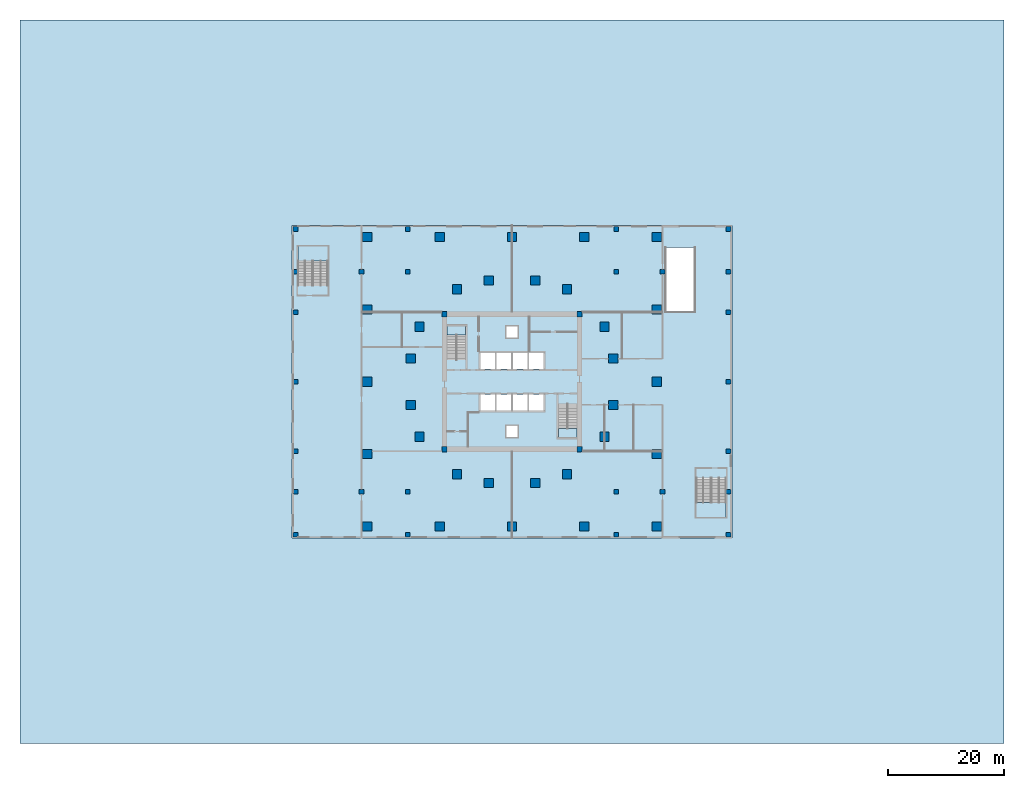
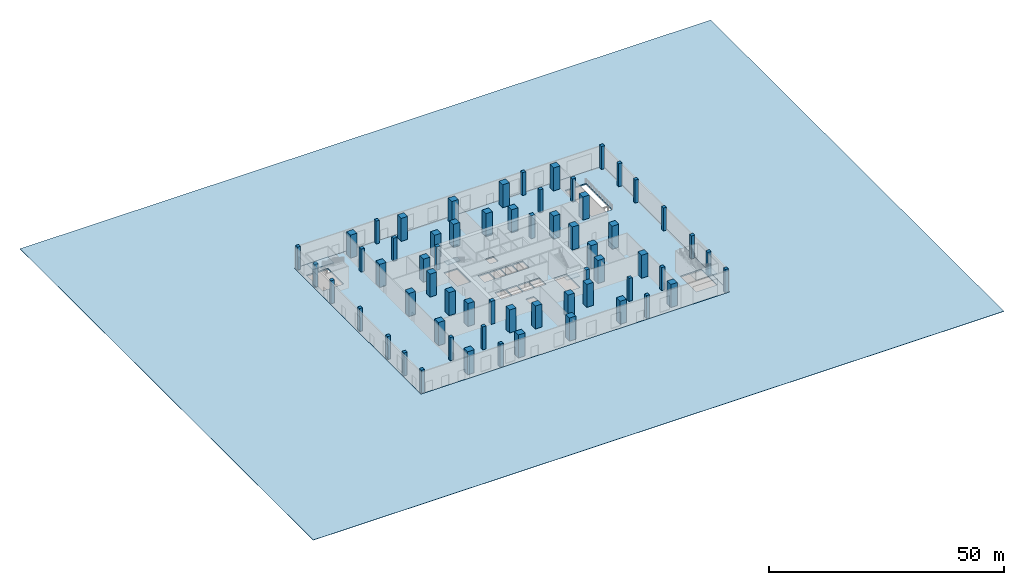
# One storey, part 1 of 8: 62 columns, 6 slabs, 4 elements without a shape of their own.
"""IFC4 building model written with IfcOpenShell, lengths in metres."""

from ifc_helpers import new_model, si_unit, direction, frame, origin, origin_2d, place, context, subcontext, project, spatial, polyline, rectangle, outline, extrude, material, layer, layer_set, material_profile, profile_set, type_object, element, aggregate, save


model = new_model("IFC4")

# Units and contexts
model_context = context("Model", 3, precision=1e-05, world=origin(), true_north=direction((0.0, 1.0)))
body_context = subcontext(model_context, "Body", "Model", "MODEL_VIEW")
ifc_project = project(units=[si_unit("LENGTHUNIT", "METRE"), si_unit("AREAUNIT", "SQUARE_METRE"), si_unit("VOLUMEUNIT", "CUBIC_METRE"), si_unit("PLANEANGLEUNIT", "RADIAN"), si_unit("MASSUNIT", "GRAM", prefix="KILO")], contexts=[model_context])

# Site, building, storey
site_placement = place(None, origin())
site = spatial("IfcSite", under=ifc_project, at=site_placement, CompositionType="ELEMENT")
building_placement = place(site_placement, origin())
building = spatial("IfcBuilding", under=site, at=building_placement, Name="Torsade Residences", CompositionType="ELEMENT")
storey_placement = place(building_placement, origin())
storey = spatial("IfcBuildingStorey", under=building, at=storey_placement, Name="L00", CompositionType="ELEMENT", Elevation=0.0)

# Columns
ifc_material_1 = material(Name="Concrete 80 MPa", Category="concrete")
ifc_material_profile_1 = material_profile(ifc_material_1, rectangle(XDim=0.89990234375, YDim=0.89990234375, at=origin_2d()), Name="RC 900x900")
ifc_profile_set_1 = profile_set([ifc_material_profile_1], Name="Concrete 80 MPa")
column_type_1 = type_object("IfcColumnType", Name="CORE CORNER COLUMN RC 900x900", PredefinedType="COLUMN", material=ifc_profile_set_1)
for number, where, z_axis, x_axis, name in (
    (1, (28.35009765625, 18.35009765625, 0.0), (0.0, 0.0, 1.0), (1.0, 0.0, 0.0), "Core corner column CC1 L00"),
    (2, (51.64990234375, 18.35009765625, 0.0), (0.0, 0.0, 1.0), (1.0, 0.0, 0.0), "Core corner column CC2 L00"),
    (3, (51.64990234375, 41.64990234375, 0.0), (0.0, 0.0, 1.0), (1.0, 0.0, 0.0), "Core corner column CC3 L00"),
    (4, (28.35009765625, 41.64990234375, 0.0), (0.0, 0.0, 1.0), (1.0, 0.0, 0.0), "Core corner column CC4 L00"),
):
    element("IfcColumn", number, at=place(storey_placement, frame(where, z_axis=z_axis, x_axis=x_axis)), inside=storey, type_object=column_type_1, Name=name, PredefinedType="COLUMN", context=body_context, shape_type="SweptSolid", body=[
        extrude(rectangle(XDim=0.89990234375, YDim=0.89990234375, at=origin_2d()), origin(), (0.0, 0.0, 1.0), 6.0),
    ])
ifc_material_2 = material(Name="Concrete 80 MPa", Category="concrete")
ifc_material_profile_2 = material_profile(ifc_material_2, rectangle(XDim=1.60009765625, YDim=1.60009765625, at=origin_2d()), Name="RC 1600x1600")
ifc_profile_set_2 = profile_set([ifc_material_profile_2], Name="Concrete 80 MPa")
column_type_2 = type_object("IfcColumnType", Name="INNER RING COLUMN RC 1600x1600", PredefinedType="COLUMN", material=ifc_profile_set_2)
for number, where, z_axis, x_axis, name in (
    (5, (57.5, 26.0, 0.0), (0.0, 0.0, 1.0), (1.0, 0.0, 0.0), "Inner ring column IR01 L00"),
    (6, (57.5, 34.0, 0.0), (0.0, 0.0, 1.0), (1.0, 0.0, 0.0), "Inner ring column IR02 L00"),
    (7, (56.0, 39.5, 0.0), (0.0, 0.0, 1.0), (1.0, 0.0, 0.0), "Inner ring column IR03 L00"),
    (8, (49.5, 46.0, 0.0), (0.0, 0.0, 1.0), (1.0, 0.0, 0.0), "Inner ring column IR04 L00"),
    (9, (44.0, 47.5, 0.0), (0.0, 0.0, 1.0), (1.0, 0.0, 0.0), "Inner ring column IR05 L00"),
    (10, (36.0, 47.5, 0.0), (0.0, 0.0, 1.0), (1.0, 0.0, 0.0), "Inner ring column IR06 L00"),
    (11, (30.5, 46.0, 0.0), (0.0, 0.0, 1.0), (1.0, 0.0, 0.0), "Inner ring column IR07 L00"),
    (12, (24.0, 39.5, 0.0), (0.0, 0.0, 1.0), (1.0, 0.0, 0.0), "Inner ring column IR08 L00"),
    (13, (22.5, 34.0, 0.0), (0.0, 0.0, 1.0), (1.0, 0.0, 0.0), "Inner ring column IR09 L00"),
    (14, (22.5, 26.0, 0.0), (0.0, 0.0, 1.0), (1.0, 0.0, 0.0), "Inner ring column IR10 L00"),
    (15, (24.0, 20.5, 0.0), (0.0, 0.0, 1.0), (1.0, 0.0, 0.0), "Inner ring column IR11 L00"),
    (16, (30.5, 14.0, 0.0), (0.0, 0.0, 1.0), (1.0, 0.0, 0.0), "Inner ring column IR12 L00"),
    (17, (36.0, 12.5, 0.0), (0.0, 0.0, 1.0), (1.0, 0.0, 0.0), "Inner ring column IR13 L00"),
    (18, (44.0, 12.5, 0.0), (0.0, 0.0, 1.0), (1.0, 0.0, 0.0), "Inner ring column IR14 L00"),
    (19, (49.5, 14.0, 0.0), (0.0, 0.0, 1.0), (1.0, 0.0, 0.0), "Inner ring column IR15 L00"),
    (20, (56.0, 20.5, 0.0), (0.0, 0.0, 1.0), (1.0, 0.0, 0.0), "Inner ring column IR16 L00"),
):
    element("IfcColumn", number, at=place(storey_placement, frame(where, z_axis=z_axis, x_axis=x_axis)), inside=storey, type_object=column_type_2, Name=name, PredefinedType="COLUMN", context=body_context, shape_type="SweptSolid", body=[
        extrude(rectangle(XDim=1.60009765625, YDim=1.60009765625, at=origin_2d()), origin(), (0.0, 0.0, 1.0), 6.0),
    ])
ifc_material_3 = material(Name="Concrete 40 MPa", Category="concrete")
ifc_material_profile_3 = material_profile(ifc_material_3, rectangle(XDim=0.800048828125, YDim=0.800048828125, at=origin_2d()), Name="RC 800x800")
ifc_profile_set_3 = profile_set([ifc_material_profile_3], Name="Concrete 40 MPa")
column_type_3 = type_object("IfcColumnType", Name="PODIUM COLUMN RC 800x800", PredefinedType="COLUMN", material=ifc_profile_set_3)
for number, where, z_axis, x_axis, name in (
    (21, (2.60009765625, 3.60009765625, 0.0), (0.0, 0.0, 1.0), (1.0, 0.0, 0.0), "Column 1A L00"),
    (22, (2.60009765625, 11.0, 0.0), (0.0, 0.0, 1.0), (1.0, 0.0, 0.0), "Column 1B L00"),
    (23, (2.60009765625, 18.0, 0.0), (0.0, 0.0, 1.0), (1.0, 0.0, 0.0), "Column 1C L00"),
    (24, (2.60009765625, 30.0, 0.0), (0.0, 0.0, 1.0), (1.0, 0.0, 0.0), "Column 1D L00"),
    (25, (2.60009765625, 42.0, 0.0), (0.0, 0.0, 1.0), (1.0, 0.0, 0.0), "Column 1E L00"),
    (26, (2.60009765625, 49.0, 0.0), (0.0, 0.0, 1.0), (1.0, 0.0, 0.0), "Column 1F L00"),
    (27, (2.60009765625, 56.39990234375, 0.0), (0.0, 0.0, 1.0), (1.0, 0.0, 0.0), "Column 1G L00"),
    (28, (14.0, 11.0, 0.0), (0.0, 0.0, 1.0), (1.0, 0.0, 0.0), "Column 2B L00"),
    (29, (14.0, 49.0, 0.0), (0.0, 0.0, 1.0), (1.0, 0.0, 0.0), "Column 2F L00"),
    (30, (22.0, 3.60009765625, 0.0), (0.0, 0.0, 1.0), (1.0, 0.0, 0.0), "Column 3A L00"),
    (31, (22.0, 11.0, 0.0), (0.0, 0.0, 1.0), (1.0, 0.0, 0.0), "Column 3B L00"),
    (32, (22.0, 49.0, 0.0), (0.0, 0.0, 1.0), (1.0, 0.0, 0.0), "Column 3F L00"),
    (33, (22.0, 56.39990234375, 0.0), (0.0, 0.0, 1.0), (1.0, 0.0, 0.0), "Column 3G L00"),
    (34, (58.0, 3.60009765625, 0.0), (0.0, 0.0, 1.0), (1.0, 0.0, 0.0), "Column 7A L00"),
    (35, (58.0, 11.0, 0.0), (0.0, 0.0, 1.0), (1.0, 0.0, 0.0), "Column 7B L00"),
    (36, (58.0, 49.0, 0.0), (0.0, 0.0, 1.0), (1.0, 0.0, 0.0), "Column 7F L00"),
    (37, (58.0, 56.39990234375, 0.0), (0.0, 0.0, 1.0), (1.0, 0.0, 0.0), "Column 7G L00"),
    (38, (66.0, 11.0, 0.0), (0.0, 0.0, 1.0), (1.0, 0.0, 0.0), "Column 8B L00"),
    (39, (66.0, 49.0, 0.0), (0.0, 0.0, 1.0), (1.0, 0.0, 0.0), "Column 8F L00"),
    (40, (77.39990234375, 3.60009765625, 0.0), (0.0, 0.0, 1.0), (1.0, 0.0, 0.0), "Column 9A L00"),
    (41, (77.39990234375, 11.0, 0.0), (0.0, 0.0, 1.0), (1.0, 0.0, 0.0), "Column 9B L00"),
    (42, (77.39990234375, 18.0, 0.0), (0.0, 0.0, 1.0), (1.0, 0.0, 0.0), "Column 9C L00"),
    (43, (77.39990234375, 30.0, 0.0), (0.0, 0.0, 1.0), (1.0, 0.0, 0.0), "Column 9D L00"),
    (44, (77.39990234375, 42.0, 0.0), (0.0, 0.0, 1.0), (1.0, 0.0, 0.0), "Column 9E L00"),
    (45, (77.39990234375, 49.0, 0.0), (0.0, 0.0, 1.0), (1.0, 0.0, 0.0), "Column 9F L00"),
    (46, (77.39990234375, 56.39990234375, 0.0), (0.0, 0.0, 1.0), (1.0, 0.0, 0.0), "Column 9G L00"),
):
    element("IfcColumn", number, at=place(storey_placement, frame(where, z_axis=z_axis, x_axis=x_axis)), inside=storey, type_object=column_type_3, Name=name, PredefinedType="COLUMN", context=body_context, shape_type="SweptSolid", body=[
        extrude(rectangle(XDim=0.800048828125, YDim=0.800048828125, at=origin_2d()), origin(), (0.0, 0.0, 1.0), 6.0),
    ])
ifc_material_4 = material(Name="Concrete 80 MPa", Category="concrete")
ifc_material_profile_4 = material_profile(ifc_material_4, rectangle(XDim=1.60009765625, YDim=1.60009765625, at=origin_2d()), Name="RC 1600x1600")
ifc_profile_set_4 = profile_set([ifc_material_profile_4], Name="Concrete 80 MPa")
column_type_4 = type_object("IfcColumnType", Name="TOWER COLUMN RC 1600x1600", PredefinedType="COLUMN", material=ifc_profile_set_4)
for number, where, z_axis, x_axis, name in (
    (47, (15.0, 5.0, 0.0), (0.0, 0.0, 1.0), (1.0, 0.0, 0.0), "Column TC1-01 L00"),
    (48, (27.5, 5.0, 0.0), (0.0, 0.0, 1.0), (1.0, 0.0, 0.0), "Column TC1-02 L00"),
    (49, (40.0, 5.0, 0.0), (0.0, 0.0, 1.0), (1.0, 0.0, 0.0), "Column TC1-03 L00"),
    (50, (52.5, 5.0, 0.0), (0.0, 0.0, 1.0), (1.0, 0.0, 0.0), "Column TC1-04 L00"),
    (51, (65.0, 5.0, 0.0), (0.0, 0.0, 1.0), (1.0, 0.0, 0.0), "Column TC1-05 L00"),
    (52, (65.0, 17.5, 0.0), (0.0, 0.0, 1.0), (1.0, 0.0, 0.0), "Column TC1-06 L00"),
    (53, (65.0, 30.0, 0.0), (0.0, 0.0, 1.0), (1.0, 0.0, 0.0), "Column TC1-07 L00"),
    (54, (65.0, 42.5, 0.0), (0.0, 0.0, 1.0), (1.0, 0.0, 0.0), "Column TC1-08 L00"),
    (55, (65.0, 55.0, 0.0), (0.0, 0.0, 1.0), (1.0, 0.0, 0.0), "Column TC1-09 L00"),
    (56, (52.5, 55.0, 0.0), (0.0, 0.0, 1.0), (1.0, 0.0, 0.0), "Column TC1-10 L00"),
    (57, (40.0, 55.0, 0.0), (0.0, 0.0, 1.0), (1.0, 0.0, 0.0), "Column TC1-11 L00"),
    (58, (27.5, 55.0, 0.0), (0.0, 0.0, 1.0), (1.0, 0.0, 0.0), "Column TC1-12 L00"),
    (59, (15.0, 55.0, 0.0), (0.0, 0.0, 1.0), (1.0, 0.0, 0.0), "Column TC1-13 L00"),
    (60, (15.0, 42.5, 0.0), (0.0, 0.0, 1.0), (1.0, 0.0, 0.0), "Column TC1-14 L00"),
    (61, (15.0, 30.0, 0.0), (0.0, 0.0, 1.0), (1.0, 0.0, 0.0), "Column TC1-15 L00"),
    (62, (15.0, 17.5, 0.0), (0.0, 0.0, 1.0), (1.0, 0.0, 0.0), "Column TC1-16 L00"),
):
    element("IfcColumn", number, at=place(storey_placement, frame(where, z_axis=z_axis, x_axis=x_axis)), inside=storey, type_object=column_type_4, Name=name, PredefinedType="COLUMN", context=body_context, shape_type="SweptSolid", body=[
        extrude(rectangle(XDim=1.60009765625, YDim=1.60009765625, at=origin_2d()), origin(), (0.0, 0.0, 1.0), 6.0),
    ])

# Slabs
ifc_material_5 = material(Name="Sandstone paving on mortar bed", Category="masonry")
ifc_layer_1 = layer(ifc_material_5, 0.080078125)
ifc_layer_set_1 = layer_set([ifc_layer_1], Name="Sandstone paving on mortar bed")
slab_type_1 = type_object("IfcSlabType", Name="PLAZA PAVING 80", PredefinedType="USERDEFINED", material=ifc_layer_set_1)
slab_1_placement = place(storey_placement, frame((0.0, 0.0, -0.080078125)))
element("IfcSlab", 63, at=slab_1_placement, inside=storey, type_object=slab_type_1, Name="Public plaza paving", ObjectType="PAVING", PredefinedType="USERDEFINED", context=body_context, shape_type="SweptSolid", body=[
    extrude(outline(polyline([(125.0, -32.5), (125.0, 92.5), (-45.0, 92.5), (-45.0, -32.5), (125.0, -32.5)]), holes=[polyline([(78.0, 57.0), (2.0, 57.0), (2.0, 3.0), (78.0, 3.0), (78.0, 57.0)])]), origin(), (0.0, 0.0, 1.0), 0.080078125),
])
ifc_material_6 = material(Name="Concrete 40 MPa", Category="concrete")
ifc_layer_2 = layer(ifc_material_6, 0.35009765625)
ifc_layer_set_2 = layer_set([ifc_layer_2], Name="Concrete 40 MPa")
slab_type_2 = type_object("IfcSlabType", Name="PODIUM FLAT SLAB 350", PredefinedType="FLOOR", material=ifc_layer_set_2)
slab_2_placement = place(storey_placement, frame((0.0, 0.0, -0.35009765625)))
element("IfcSlab", 64, at=slab_2_placement, inside=storey, type_object=slab_type_2, Name="Floor slab L00", PredefinedType="FLOOR", context=body_context, shape_type="SweptSolid", body=[
    extrude(outline(polyline([(78.0, 3.0), (78.0, 57.0), (2.0, 57.0), (2.0, 3.0), (78.0, 3.0)]), holes=[polyline([(28.800048828125, 33.8798828125), (32.0, 33.8798828125), (32.0, 39.60009765625), (28.800048828125, 39.60009765625), (28.800048828125, 33.8798828125)]), polyline([(48.0, 20.39990234375), (51.199951171875, 20.39990234375), (51.199951171875, 26.1201171875), (48.0, 26.1201171875), (48.0, 20.39990234375)]), polyline([(3.0, 46.679931640625), (8.199951171875, 46.679931640625), (8.199951171875, 53.419921875), (3.0, 53.419921875), (3.0, 46.679931640625)]), polyline([(71.800048828125, 6.580078125), (77.0, 6.580078125), (77.0, 13.320068359375), (71.800048828125, 13.320068359375), (71.800048828125, 6.580078125)]), polyline([(34.5, 32.199951171875), (37.10009765625, 32.199951171875), (37.10009765625, 35.0), (34.5, 35.0), (34.5, 32.199951171875)]), polyline([(42.89990234375, 25.0), (45.5, 25.0), (45.5, 27.800048828125), (42.89990234375, 27.800048828125), (42.89990234375, 25.0)]), polyline([(37.300048828125, 32.199951171875), (39.89990234375, 32.199951171875), (39.89990234375, 35.0), (37.300048828125, 35.0), (37.300048828125, 32.199951171875)]), polyline([(40.10009765625, 25.0), (42.699951171875, 25.0), (42.699951171875, 27.800048828125), (40.10009765625, 27.800048828125), (40.10009765625, 25.0)]), polyline([(40.10009765625, 32.199951171875), (42.699951171875, 32.199951171875), (42.699951171875, 35.0), (40.10009765625, 35.0), (40.10009765625, 32.199951171875)]), polyline([(37.300048828125, 25.0), (39.89990234375, 25.0), (39.89990234375, 27.800048828125), (37.300048828125, 27.800048828125), (37.300048828125, 25.0)]), polyline([(42.89990234375, 32.199951171875), (45.5, 32.199951171875), (45.5, 35.0), (42.89990234375, 35.0), (42.89990234375, 32.199951171875)]), polyline([(34.5, 25.0), (37.10009765625, 25.0), (37.10009765625, 27.800048828125), (34.5, 27.800048828125), (34.5, 25.0)]), polyline([(39.0, 37.60009765625), (41.0, 37.60009765625), (41.0, 39.60009765625), (39.0, 39.60009765625), (39.0, 37.60009765625)]), polyline([(39.0, 20.39990234375), (41.0, 20.39990234375), (41.0, 22.39990234375), (39.0, 22.39990234375), (39.0, 20.39990234375)]), polyline([(66.5, 42.0), (71.60009765625, 42.0), (71.60009765625, 53.199951171875), (66.5, 53.199951171875), (66.5, 42.0)])]), origin(), (0.0, 0.0, 1.0), 0.35009765625),
])

# Stair, slab
ifc_material_7 = material(Name="Precast concrete 40 MPa", Category="concrete")
stair_type_1 = type_object("IfcStairType", Name="HALF-TURN FIRE STAIR 1500x6000", PredefinedType="HALF_TURN_STAIR", material=ifc_material_7)
stair_1_placement = place(storey_placement, origin())
stair_1 = element("IfcStair", 65, at=stair_1_placement, inside=storey, type_object=stair_type_1, Name="Stair ST1 L00", PredefinedType="HALF_TURN_STAIR")
ifc_material_8 = material(Name="Precast concrete 40 MPa", Category="concrete")
ifc_layer_3 = layer(ifc_material_8, 0.179931640625)
ifc_layer_set_3 = layer_set([ifc_layer_3], Name="Precast concrete 40 MPa")
slab_type_3 = type_object("IfcSlabType", Name="PRECAST STAIR LANDING 180", PredefinedType="LANDING", material=ifc_layer_set_3)
slab_3_placement = place(storey_placement, frame((0.0, 0.0, 2.820068359375)))
slab_3 = element("IfcSlab", 66, at=slab_3_placement, type_object=slab_type_3, Name="ST1 landing 1", PredefinedType="LANDING", context=body_context, shape_type="SweptSolid", body=[
    extrude(outline(polyline([(28.800048828125, 38.10009765625), (32.0, 38.10009765625), (32.0, 39.60009765625), (28.800048828125, 39.60009765625), (28.800048828125, 38.10009765625)])), origin(), (0.0, 0.0, 1.0), 0.179931640625),
])
aggregate(stair_1, [slab_3])

stair_2_placement = place(storey_placement, origin())
stair_2 = element("IfcStair", 67, at=stair_2_placement, inside=storey, type_object=stair_type_1, Name="Stair ST2 L00", PredefinedType="HALF_TURN_STAIR")
slab_4_placement = place(storey_placement, frame((0.0, 0.0, 2.820068359375)))
slab_4 = element("IfcSlab", 68, at=slab_4_placement, type_object=slab_type_3, Name="ST2 landing 1", PredefinedType="LANDING", context=body_context, shape_type="SweptSolid", body=[
    extrude(outline(polyline([(48.0, 20.39990234375), (51.199951171875, 20.39990234375), (51.199951171875, 21.89990234375), (48.0, 21.89990234375), (48.0, 20.39990234375)])), origin(), (0.0, 0.0, 1.0), 0.179931640625),
])
aggregate(stair_2, [slab_4])

ifc_material_9 = material(Name="Concrete 40 MPa", Category="concrete")
stair_type_2 = type_object("IfcStairType", Name="HALF-TURN PODIUM STAIR 2500x6000", PredefinedType="HALF_TURN_STAIR", material=ifc_material_9)
stair_3_placement = place(storey_placement, origin())
stair_3 = element("IfcStair", 69, at=stair_3_placement, inside=storey, type_object=stair_type_2, Name="Stair ST3 L00", PredefinedType="HALF_TURN_STAIR")
ifc_material_10 = material(Name="Concrete 40 MPa", Category="concrete")
ifc_layer_4 = layer(ifc_material_10, 0.199951171875)
ifc_layer_set_4 = layer_set([ifc_layer_4], Name="Concrete 40 MPa")
slab_type_4 = type_object("IfcSlabType", Name="STAIR LANDING 200", PredefinedType="LANDING", material=ifc_layer_set_4)
slab_5_placement = place(storey_placement, frame((0.0, 0.0, 2.800048828125)))
slab_5 = element("IfcSlab", 70, at=slab_5_placement, type_object=slab_type_4, Name="ST3 landing 1", PredefinedType="LANDING", context=body_context, shape_type="SweptSolid", body=[
    extrude(outline(polyline([(3.0, 50.89990234375), (8.199951171875, 50.89990234375), (8.199951171875, 53.419921875), (3.0, 53.419921875), (3.0, 50.89990234375)])), origin(), (0.0, 0.0, 1.0), 0.199951171875),
])
aggregate(stair_3, [slab_5])

stair_4_placement = place(storey_placement, origin())
stair_4 = element("IfcStair", 71, at=stair_4_placement, inside=storey, type_object=stair_type_2, Name="Stair ST4 L00", PredefinedType="HALF_TURN_STAIR")
slab_6_placement = place(storey_placement, frame((0.0, 0.0, 2.800048828125)))
slab_6 = element("IfcSlab", 72, at=slab_6_placement, type_object=slab_type_4, Name="ST4 landing 1", PredefinedType="LANDING", context=body_context, shape_type="SweptSolid", body=[
    extrude(outline(polyline([(71.800048828125, 6.580078125), (77.0, 6.580078125), (77.0, 9.10009765625), (71.800048828125, 9.10009765625), (71.800048828125, 6.580078125)])), origin(), (0.0, 0.0, 1.0), 0.199951171875),
])
aggregate(stair_4, [slab_6])

save(model, "model.ifc")
